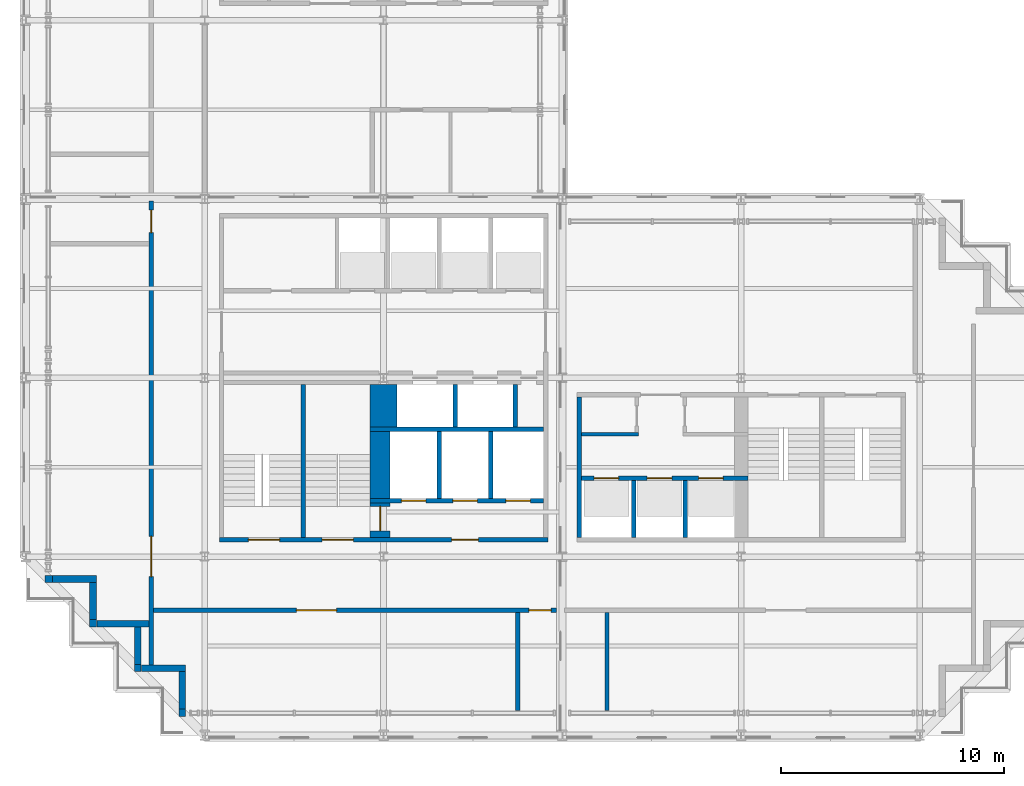
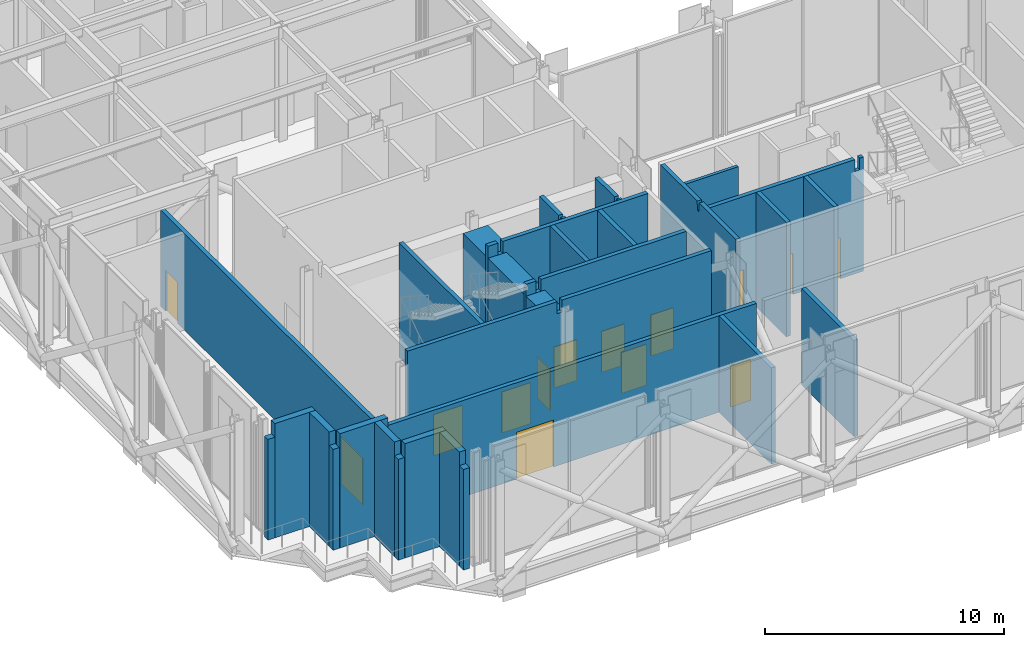
# One storey, part 16 of 23: 30 walls, 14 doors, 14 openings.
"""IFC4 building model written with IfcOpenShell, lengths in metres."""

from ifc_helpers import new_model, si_unit, direction, frame, frame_2d, origin, place, context, subcontext, project, spatial, polyline, rectangle, outline, extrude, material, layer, layer_set, type_object, element, fill, save


model = new_model("IFC4")

# Units and contexts
model_context = context("Model", 3, precision=1e-05, world=origin(), true_north=direction((0.0, 1.0)))
body_context = subcontext(model_context, "Body", "Model", "MODEL_VIEW")
ifc_project = project(units=[si_unit("LENGTHUNIT", "METRE"), si_unit("AREAUNIT", "SQUARE_METRE"), si_unit("VOLUMEUNIT", "CUBIC_METRE"), si_unit("PLANEANGLEUNIT", "RADIAN"), si_unit("MASSUNIT", "GRAM", prefix="KILO")], contexts=[model_context])

# Site, building, storey
site_placement = place(None, origin())
site = spatial("IfcSite", under=ifc_project, at=site_placement, CompositionType="ELEMENT")
building_placement = place(site_placement, origin())
building = spatial("IfcBuilding", under=site, at=building_placement, Name="Immortelle Media Tower", CompositionType="ELEMENT")
storey_placement = place(building_placement, frame((0.0, 0.0, 183.0)))
storey = spatial("IfcBuildingStorey", under=building, at=storey_placement, Name="L38", CompositionType="ELEMENT", Elevation=183.0)

# Wall
ifc_material_1 = material(Name="Fire-rated gypsum board", Category="gypsum")
ifc_layer_1 = layer(ifc_material_1, 0.02490234375)
ifc_material_2 = material(Name="Steel ASTM A653 SS Gr 50 stud frame with mineral wool", Category="steel")
ifc_layer_2 = layer(ifc_material_2, 0.10009765625)
ifc_layer_3 = layer(ifc_material_1, 0.02490234375)
ifc_layer_set_1 = layer_set([ifc_layer_1, ifc_layer_2, ifc_layer_3], Name="Steel ASTM A653 SS Gr 50 stud frame with mineral wool")
wall_type_1 = type_object("IfcWallType", Name="Core partition 150", PredefinedType="PARTITIONING", material=ifc_layer_set_1)
wall_1_placement = place(storey_placement, frame((24.85009765625, 13.47509765625, 0.0), z_axis=(0.0, 0.0, 1.0), x_axis=(1.0, 0.0, 0.0)))
element("IfcWall", 1, at=wall_1_placement, inside=storey, type_object=wall_type_1, Name="Core partition SE", PredefinedType="PARTITIONING", context=body_context, shape_type="SweptSolid", body=[
    extrude(rectangle(XDim=2.5498046875, YDim=0.14990234375, at=frame_2d((1.27490234375, 0.0))), origin(), (0.0, 0.0, 1.0), 5.85009765625),
])

# Wall, openings, doors
ifc_layer_4 = layer(ifc_material_1, 0.03759765625)
ifc_layer_5 = layer(ifc_material_2, 0.125)
ifc_layer_6 = layer(ifc_material_1, 0.03759765625)
ifc_layer_set_2 = layer_set([ifc_layer_4, ifc_layer_5, ifc_layer_6], Name="Steel ASTM A653 SS Gr 50 stud frame with mineral wool")
wall_type_2 = type_object("IfcWallType", Name="Core shaft wall 200", PredefinedType="PARTITIONING", material=ifc_layer_set_2)
wall_2_placement = place(storey_placement, frame((15.39990234375, 10.5, 0.0), z_axis=(0.0, 0.0, 1.0), x_axis=(1.0, 0.0, 0.0)))
wall_2 = element("IfcWall", 2, at=wall_2_placement, inside=storey, type_object=wall_type_2, Name="Core shaft wall SW", PredefinedType="PARTITIONING", context=body_context, shape_type="SweptSolid", body=[
    extrude(outline(polyline([(0.0, 0.0), (7.75, 0.0), (7.75, 5.85009765625), (0.718994140625, 5.85009765625), (0.718017578125, 5.241943359375), (0.48193359375, 5.241943359375), (0.48095703125, 5.85009765625), (0.0, 5.85009765625), (0.0, 0.0)])), frame((0.0, 0.10009765625, 0.0), z_axis=(0.0, -1.0, 0.0), x_axis=(1.0, 0.0, 0.0)), (0.0, 0.0, 1.0), 0.199951171875),
])
opening_1_placement = place(wall_2_placement, frame((1.39990234375, 0.0, 0.0)))
opening_1 = element("IfcOpeningElement", 3, at=opening_1_placement, cuts=wall_2, Name="Opening LD", PredefinedType="OPENING", context=body_context, shape_type="SweptSolid", body=[
    extrude(rectangle(XDim=1.10009765625, YDim=2.10009765625, at=frame_2d((0.550048828125, 1.050048828125))), frame((0.0, 0.10986328125, 0.0), z_axis=(0.0, -1.0, 0.0), x_axis=(1.0, 0.0, 0.0)), (0.0, 0.0, 1.0), 0.219970703125),
])
opening_2_placement = place(wall_2_placement, frame((3.699951171875, 0.0, 0.0)))
opening_2 = element("IfcOpeningElement", 4, at=opening_2_placement, cuts=wall_2, Name="Opening LD", PredefinedType="OPENING", context=body_context, shape_type="SweptSolid", body=[
    extrude(rectangle(XDim=1.10009765625, YDim=2.10009765625, at=frame_2d((0.550048828125, 1.050048828125))), frame((0.0, 0.10986328125, 0.0), z_axis=(0.0, -1.0, 0.0), x_axis=(1.0, 0.0, 0.0)), (0.0, 0.0, 1.0), 0.219970703125),
])
opening_3_placement = place(wall_2_placement, frame((6.074951171875, 0.0, 0.0)))
opening_3 = element("IfcOpeningElement", 5, at=opening_3_placement, cuts=wall_2, Name="Opening LD", PredefinedType="OPENING", context=body_context, shape_type="SweptSolid", body=[
    extrude(rectangle(XDim=1.10009765625, YDim=2.10009765625, at=frame_2d((0.550048828125, 1.050048828125))), frame((0.0, 0.10986328125, 0.0), z_axis=(0.0, -1.0, 0.0), x_axis=(1.0, 0.0, 0.0)), (0.0, 0.0, 1.0), 0.219970703125),
])
ifc_material_3 = material(Name="Stainless steel AISI 304", Category="steel")
door_type_1 = type_object("IfcDoorType", Name="Landing door 1100 x 2100", OperationType="SLIDING_TO_LEFT", PredefinedType="NOTDEFINED", material=ifc_material_3)
door_1_placement = place(opening_1_placement, origin())
door_1 = element("IfcDoor", 6, at=door_1_placement, inside=storey, type_object=door_type_1, Name="Landing door FF1 L38", OperationType="SLIDING_TO_LEFT", OverallHeight=2.10009765625, OverallWidth=1.10009765625, PredefinedType="NOTDEFINED", context=body_context, shape_type="SweptSolid", body=[
    extrude(rectangle(XDim=1.10009765625, YDim=2.10009765625, at=frame_2d((0.550048828125, 1.050048828125))), frame((0.0, 0.02490234375, 0.0), z_axis=(0.0, -1.0, 0.0), x_axis=(1.0, 0.0, 0.0)), (0.0, 0.0, 1.0), 0.050048828125),
])
fill(opening_1, door_1)
door_2_placement = place(opening_2_placement, origin())
door_2 = element("IfcDoor", 7, at=door_2_placement, inside=storey, type_object=door_type_1, Name="Landing door FF2 L38", OperationType="SLIDING_TO_LEFT", OverallHeight=2.10009765625, OverallWidth=1.10009765625, PredefinedType="NOTDEFINED", context=body_context, shape_type="SweptSolid", body=[
    extrude(rectangle(XDim=1.10009765625, YDim=2.10009765625, at=frame_2d((0.550048828125, 1.050048828125))), frame((0.0, 0.02490234375, 0.0), z_axis=(0.0, -1.0, 0.0), x_axis=(1.0, 0.0, 0.0)), (0.0, 0.0, 1.0), 0.050048828125),
])
fill(opening_2, door_2)
door_3_placement = place(opening_3_placement, origin())
door_3 = element("IfcDoor", 8, at=door_3_placement, inside=storey, type_object=door_type_1, Name="Landing door FF3 L38", OperationType="SLIDING_TO_LEFT", OverallHeight=2.10009765625, OverallWidth=1.10009765625, PredefinedType="NOTDEFINED", context=body_context, shape_type="SweptSolid", body=[
    extrude(rectangle(XDim=1.10009765625, YDim=2.10009765625, at=frame_2d((0.550048828125, 1.050048828125))), frame((0.0, 0.02490234375, 0.0), z_axis=(0.0, -1.0, 0.0), x_axis=(1.0, 0.0, 0.0)), (0.0, 0.0, 1.0), 0.050048828125),
])
fill(opening_3, door_3)

# Walls
wall_3_placement = place(storey_placement, frame((15.39990234375, 13.699951171875, 0.0), z_axis=(0.0, 0.0, 1.0), x_axis=(1.0, 0.0, 0.0)))
element("IfcWall", 9, at=wall_3_placement, inside=storey, type_object=wall_type_2, Name="Core shaft wall SW", PredefinedType="PARTITIONING", context=body_context, shape_type="SweptSolid", body=[
    extrude(outline(polyline([(0.0, 0.0), (7.75, 0.0), (7.75, 5.85009765625), (0.718994140625, 5.85009765625), (0.718017578125, 5.241943359375), (0.48193359375, 5.241943359375), (0.48095703125, 5.85009765625), (0.0, 5.85009765625), (0.0, 0.0)])), frame((0.0, 0.10009765625, 0.0), z_axis=(0.0, -1.0, 0.0), x_axis=(1.0, 0.0, 0.0)), (0.0, 0.0, 1.0), 0.199951171875),
])
wall_4_placement = place(storey_placement, frame((18.5, 10.60009765625, 0.0), z_axis=(0.0, 0.0, 1.0), x_axis=(0.0, 1.0, 0.0)))
element("IfcWall", 10, at=wall_4_placement, inside=storey, type_object=wall_type_2, Name="Core shaft wall SW", PredefinedType="PARTITIONING", context=body_context, shape_type="SweptSolid", body=[
    extrude(rectangle(XDim=3.0, YDim=0.199951171875, at=frame_2d((1.5, 0.0))), origin(), (0.0, 0.0, 1.0), 5.85009765625),
])
wall_5_placement = place(storey_placement, frame((19.199951171875, 13.800048828125, 0.0), z_axis=(0.0, 0.0, 1.0), x_axis=(0.0, 1.0, 0.0)))
element("IfcWall", 11, at=wall_5_placement, inside=storey, type_object=wall_type_2, Name="Core shaft wall SW", PredefinedType="PARTITIONING", context=body_context, shape_type="SweptSolid", body=[
    extrude(outline(polyline([(0.0, 0.0), (1.89990234375, 0.0), (1.89990234375, 5.85009765625), (0.281494140625, 5.85009765625), (0.280517578125, 5.388916015625), (0.119384765625, 5.388916015625), (0.118408203125, 5.85009765625), (0.0, 5.85009765625), (0.0, 0.0)])), frame((0.0, 0.10009765625, 0.0), z_axis=(0.0, -1.0, 0.0), x_axis=(1.0, 0.0, 0.0)), (0.0, 0.0, 1.0), 0.199951171875),
])
wall_6_placement = place(storey_placement, frame((20.800048828125, 10.60009765625, 0.0), z_axis=(0.0, 0.0, 1.0), x_axis=(0.0, 1.0, 0.0)))
element("IfcWall", 12, at=wall_6_placement, inside=storey, type_object=wall_type_2, Name="Core shaft wall SW", PredefinedType="PARTITIONING", context=body_context, shape_type="SweptSolid", body=[
    extrude(rectangle(XDim=3.0, YDim=0.199951171875, at=frame_2d((1.5, 0.0))), origin(), (0.0, 0.0, 1.0), 5.85009765625),
])
wall_7_placement = place(storey_placement, frame((21.89990234375, 13.800048828125, 0.0), z_axis=(0.0, 0.0, 1.0), x_axis=(0.0, 1.0, 0.0)))
element("IfcWall", 13, at=wall_7_placement, inside=storey, type_object=wall_type_2, Name="Core shaft wall SW", PredefinedType="PARTITIONING", context=body_context, shape_type="SweptSolid", body=[
    extrude(outline(polyline([(0.0, 0.0), (1.89990234375, 0.0), (1.89990234375, 5.85009765625), (0.281494140625, 5.85009765625), (0.280517578125, 5.388916015625), (0.119384765625, 5.388916015625), (0.118408203125, 5.85009765625), (0.0, 5.85009765625), (0.0, 0.0)])), frame((0.0, 0.10009765625, 0.0), z_axis=(0.0, -1.0, 0.0), x_axis=(1.0, 0.0, 0.0)), (0.0, 0.0, 1.0), 0.199951171875),
])
wall_8_placement = place(storey_placement, frame((24.75, 8.85009765625, 0.0), z_axis=(0.0, 0.0, 1.0), x_axis=(0.0, 1.0, 0.0)))
element("IfcWall", 14, at=wall_8_placement, inside=storey, type_object=wall_type_2, Name="Core shaft wall SE", PredefinedType="PARTITIONING", context=body_context, shape_type="SweptSolid", body=[
    extrude(outline(polyline([(0.0, 0.0), (6.2998046875, 0.0), (6.300048828125, 5.85009765625), (3.2314453125, 5.85009765625), (3.23046875, 5.388916015625), (3.069580078125, 5.388916015625), (3.068603515625, 5.85009765625), (0.0, 5.85009765625), (0.0, 0.0)])), frame((0.0, 0.10009765625, 0.0), z_axis=(0.0, -1.0, 0.0), x_axis=(1.0, 0.0, 0.0)), (0.0, 0.0, 1.0), 0.199951171875),
])

# Wall, openings, doors
wall_9_placement = place(storey_placement, frame((24.85009765625, 11.5, 0.0), z_axis=(0.0, 0.0, 1.0), x_axis=(1.0, 0.0, 0.0)))
wall_9 = element("IfcWall", 15, at=wall_9_placement, inside=storey, type_object=wall_type_2, Name="Core shaft wall SE", PredefinedType="PARTITIONING", context=body_context, shape_type="SweptSolid", body=[
    extrude(outline(polyline([(0.0, 0.0), (7.449951171875, 0.0), (7.449951171875, 5.85009765625), (7.26904296875, 5.85009765625), (7.26806640625, 5.241943359375), (7.031982421875, 5.241943359375), (7.031005859375, 5.85009765625), (0.0, 5.85009765625), (0.0, 0.0)])), frame((0.0, 0.10009765625, 0.0), z_axis=(0.0, -1.0, 0.0), x_axis=(1.0, 0.0, 0.0)), (0.0, 0.0, 1.0), 0.199951171875),
])
opening_4_placement = place(wall_9_placement, frame((0.574951171875, 0.0, 0.0)))
opening_4 = element("IfcOpeningElement", 16, at=opening_4_placement, cuts=wall_9, Name="Opening LD", PredefinedType="OPENING", context=body_context, shape_type="SweptSolid", body=[
    extrude(rectangle(XDim=1.10009765625, YDim=2.10009765625, at=frame_2d((0.550048828125, 1.050048828125))), frame((0.0, 0.10986328125, 0.0), z_axis=(0.0, -1.0, 0.0), x_axis=(1.0, 0.0, 0.0)), (0.0, 0.0, 1.0), 0.219970703125),
])
opening_5_placement = place(wall_9_placement, frame((2.949951171875, 0.0, 0.0)))
opening_5 = element("IfcOpeningElement", 17, at=opening_5_placement, cuts=wall_9, Name="Opening LD", PredefinedType="OPENING", context=body_context, shape_type="SweptSolid", body=[
    extrude(rectangle(XDim=1.10009765625, YDim=2.10009765625, at=frame_2d((0.550048828125, 1.050048828125))), frame((0.0, 0.10986328125, 0.0), z_axis=(0.0, -1.0, 0.0), x_axis=(1.0, 0.0, 0.0)), (0.0, 0.0, 1.0), 0.219970703125),
])
opening_6_placement = place(wall_9_placement, frame((5.25, 0.0, 0.0)))
opening_6 = element("IfcOpeningElement", 18, at=opening_6_placement, cuts=wall_9, Name="Opening LD", PredefinedType="OPENING", context=body_context, shape_type="SweptSolid", body=[
    extrude(rectangle(XDim=1.10009765625, YDim=2.10009765625, at=frame_2d((0.550048828125, 1.050048828125))), frame((0.0, 0.10986328125, 0.0), z_axis=(0.0, -1.0, 0.0), x_axis=(1.0, 0.0, 0.0)), (0.0, 0.0, 1.0), 0.219970703125),
])
door_4_placement = place(opening_4_placement, origin())
door_4 = element("IfcDoor", 19, at=door_4_placement, inside=storey, type_object=door_type_1, Name="Landing door HS1 L38", OperationType="SLIDING_TO_LEFT", OverallHeight=2.10009765625, OverallWidth=1.10009765625, PredefinedType="NOTDEFINED", context=body_context, shape_type="SweptSolid", body=[
    extrude(rectangle(XDim=1.10009765625, YDim=2.10009765625, at=frame_2d((0.550048828125, 1.050048828125))), frame((0.0, 0.02490234375, 0.0), z_axis=(0.0, -1.0, 0.0), x_axis=(1.0, 0.0, 0.0)), (0.0, 0.0, 1.0), 0.050048828125),
])
fill(opening_4, door_4)
door_5_placement = place(opening_5_placement, origin())
door_5 = element("IfcDoor", 20, at=door_5_placement, inside=storey, type_object=door_type_1, Name="Landing door HS2 L38", OperationType="SLIDING_TO_LEFT", OverallHeight=2.10009765625, OverallWidth=1.10009765625, PredefinedType="NOTDEFINED", context=body_context, shape_type="SweptSolid", body=[
    extrude(rectangle(XDim=1.10009765625, YDim=2.10009765625, at=frame_2d((0.550048828125, 1.050048828125))), frame((0.0, 0.02490234375, 0.0), z_axis=(0.0, -1.0, 0.0), x_axis=(1.0, 0.0, 0.0)), (0.0, 0.0, 1.0), 0.050048828125),
])
fill(opening_5, door_5)
door_6_placement = place(opening_6_placement, origin())
door_6 = element("IfcDoor", 21, at=door_6_placement, inside=storey, type_object=door_type_1, Name="Landing door HS3 L38", OperationType="SLIDING_TO_LEFT", OverallHeight=2.10009765625, OverallWidth=1.10009765625, PredefinedType="NOTDEFINED", context=body_context, shape_type="SweptSolid", body=[
    extrude(rectangle(XDim=1.10009765625, YDim=2.10009765625, at=frame_2d((0.550048828125, 1.050048828125))), frame((0.0, 0.02490234375, 0.0), z_axis=(0.0, -1.0, 0.0), x_axis=(1.0, 0.0, 0.0)), (0.0, 0.0, 1.0), 0.050048828125),
])
fill(opening_6, door_6)

# Walls
for number, where, z_axis, x_axis, name in (
    (22, (27.199951171875, 8.85009765625, 0.0), (0.0, 0.0, 1.0), (0.0, 1.0, 0.0), "Core shaft wall SE"),
    (23, (29.5, 8.85009765625, 0.0), (0.0, 0.0, 1.0), (0.0, 1.0, 0.0), "Core shaft wall SE"),
):
    element("IfcWall", number, at=place(storey_placement, frame(where, z_axis=z_axis, x_axis=x_axis)), inside=storey, type_object=wall_type_2, Name=name, PredefinedType="PARTITIONING", context=body_context, shape_type="SweptSolid", body=[
        extrude(rectangle(XDim=2.5498046875, YDim=0.199951171875, at=frame_2d((1.27490234375, 0.0))), origin(), (0.0, 0.0, 1.0), 5.85009765625),
    ])

# Wall, openings, doors
ifc_layer_7 = layer(ifc_material_1, 0.03759765625)
ifc_layer_8 = layer(ifc_material_2, 0.125)
ifc_layer_9 = layer(ifc_material_1, 0.03759765625)
ifc_layer_set_3 = layer_set([ifc_layer_7, ifc_layer_8, ifc_layer_9], Name="Steel ASTM A653 SS Gr 50 stud frame with mineral wool")
wall_type_3 = type_object("IfcWallType", Name="Fire-resisting wall 200", PredefinedType="PARTITIONING", material=ifc_layer_set_3)
wall_10_placement = place(storey_placement, frame((5.60009765625, 3.14990234375, 0.0), z_axis=(0.0, 0.0, 1.0), x_axis=(0.0, 1.0, 0.0)))
wall_10 = element("IfcWall", 24, at=wall_10_placement, inside=storey, type_object=wall_type_3, Name="Fire-resisting wall L38-3A", PredefinedType="PARTITIONING", context=body_context, shape_type="SweptSolid", body=[
    extrude(rectangle(XDim=20.755126953125, YDim=0.199951171875, at=frame_2d((10.37744140625, 0.0))), origin(), (0.0, 0.0, 1.0), 4.93603515625),
])
opening_7_placement = place(wall_10_placement, frame((3.949951171875, 0.0, 0.0)))
opening_7 = element("IfcOpeningElement", 25, at=opening_7_placement, cuts=wall_10, Name="Opening L38-X01", PredefinedType="OPENING", context=body_context, shape_type="SweptSolid", body=[
    extrude(rectangle(XDim=1.800048828125, YDim=2.39990234375, at=frame_2d((0.89990234375, 1.199951171875))), frame((0.0, 0.10986328125, 0.0), z_axis=(0.0, -1.0, 0.0), x_axis=(1.0, 0.0, 0.0)), (0.0, 0.0, 1.0), 0.219970703125),
])
opening_8_placement = place(wall_10_placement, frame((20.35009765625, 0.0, 0.0), z_axis=(0.0, 0.0, 1.0), x_axis=(-1.0, 0.0, 0.0)))
opening_8 = element("IfcOpeningElement", 26, at=opening_8_placement, cuts=wall_10, Name="Opening L38-X02", PredefinedType="OPENING", context=body_context, shape_type="SweptSolid", body=[
    extrude(rectangle(XDim=1.0, YDim=2.10009765625, at=frame_2d((0.5, 1.050048828125))), frame((0.0, 0.10986328125, 0.0), z_axis=(0.0, -1.0, 0.0), x_axis=(1.0, 0.0, 0.0)), (0.0, 0.0, 1.0), 0.219970703125),
])
ifc_material_4 = material(Name="Galvanised steel door leaf and frame ASTM A653", Category="steel")
door_type_2 = type_object("IfcDoorType", Name="Fire door 1000 x 2100", OperationType="NOTDEFINED", PredefinedType="DOOR", material=ifc_material_4)
door_7_placement = place(opening_8_placement, origin())
door_7 = element("IfcDoor", 27, at=door_7_placement, inside=storey, type_object=door_type_2, Name="Door L38-X02", OperationType="SINGLE_SWING_RIGHT", OverallHeight=2.10009765625, OverallWidth=1.0, PredefinedType="DOOR", context=body_context, shape_type="SweptSolid", body=[
    extrude(rectangle(XDim=1.0, YDim=2.10009765625, at=frame_2d((0.5, 1.050048828125))), frame((0.0, 0.02490234375, 0.0), z_axis=(0.0, -1.0, 0.0), x_axis=(1.0, 0.0, 0.0)), (0.0, 0.0, 1.0), 0.050048828125),
])
fill(opening_8, door_7)
door_type_3 = type_object("IfcDoorType", Name="Fire double door 1800 x 2400", OperationType="DOUBLE_DOOR_SINGLE_SWING", PredefinedType="DOOR", material=ifc_material_4)
door_8_placement = place(opening_7_placement, origin())
door_8 = element("IfcDoor", 28, at=door_8_placement, inside=storey, type_object=door_type_3, Name="Door L38-X01", OperationType="DOUBLE_DOOR_SINGLE_SWING", OverallHeight=2.39990234375, OverallWidth=1.800048828125, PredefinedType="DOOR", context=body_context, shape_type="SweptSolid", body=[
    extrude(rectangle(XDim=1.800048828125, YDim=2.39990234375, at=frame_2d((0.89990234375, 1.199951171875))), frame((0.0, 0.02490234375, 0.0), z_axis=(0.0, -1.0, 0.0), x_axis=(1.0, 0.0, 0.0)), (0.0, 0.0, 1.0), 0.050048828125),
])
fill(opening_7, door_8)

wall_11_placement = place(storey_placement, frame((5.699951171875, 5.60009765625, 0.0), z_axis=(0.0, 0.0, 1.0), x_axis=(1.0, 0.0, 0.0)))
wall_11 = element("IfcWall", 29, at=wall_11_placement, inside=storey, type_object=wall_type_3, Name="Fire-resisting wall L38-4A", PredefinedType="PARTITIONING", context=body_context, shape_type="SweptSolid", body=[
    extrude(rectangle(XDim=18.029052734375, YDim=0.199951171875, at=frame_2d((9.0146484375, 0.0))), origin(), (0.0, 0.0, 1.0), 4.93603515625),
])
opening_9_placement = place(wall_11_placement, frame((6.39990234375, 0.0, 0.0)))
opening_9 = element("IfcOpeningElement", 30, at=opening_9_placement, cuts=wall_11, Name="Opening L38-X04", PredefinedType="OPENING", context=body_context, shape_type="SweptSolid", body=[
    extrude(rectangle(XDim=1.800048828125, YDim=2.39990234375, at=frame_2d((0.89990234375, 1.199951171875))), frame((0.0, 0.10986328125, 0.0), z_axis=(0.0, -1.0, 0.0), x_axis=(1.0, 0.0, 0.0)), (0.0, 0.0, 1.0), 0.219970703125),
])
opening_10_placement = place(wall_11_placement, frame((16.800048828125, 0.0, 0.0)))
opening_10 = element("IfcOpeningElement", 31, at=opening_10_placement, cuts=wall_11, Name="Opening L38-X05", PredefinedType="OPENING", context=body_context, shape_type="SweptSolid", body=[
    extrude(rectangle(XDim=1.0, YDim=2.10009765625, at=frame_2d((0.5, 1.050048828125))), frame((0.0, 0.10986328125, 0.0), z_axis=(0.0, -1.0, 0.0), x_axis=(1.0, 0.0, 0.0)), (0.0, 0.0, 1.0), 0.219970703125),
])
door_9_placement = place(opening_10_placement, origin())
door_9 = element("IfcDoor", 32, at=door_9_placement, inside=storey, type_object=door_type_2, Name="Door L38-X05", OperationType="SINGLE_SWING_LEFT", OverallHeight=2.10009765625, OverallWidth=1.0, PredefinedType="DOOR", context=body_context, shape_type="SweptSolid", body=[
    extrude(rectangle(XDim=1.0, YDim=2.10009765625, at=frame_2d((0.5, 1.050048828125))), frame((0.0, 0.02490234375, 0.0), z_axis=(0.0, -1.0, 0.0), x_axis=(1.0, 0.0, 0.0)), (0.0, 0.0, 1.0), 0.050048828125),
])
fill(opening_10, door_9)
door_10_placement = place(opening_9_placement, origin())
door_10 = element("IfcDoor", 33, at=door_10_placement, inside=storey, type_object=door_type_3, Name="Door L38-X04", OperationType="DOUBLE_DOOR_SINGLE_SWING", OverallHeight=2.39990234375, OverallWidth=1.800048828125, PredefinedType="DOOR", context=body_context, shape_type="SweptSolid", body=[
    extrude(rectangle(XDim=1.800048828125, YDim=2.39990234375, at=frame_2d((0.89990234375, 1.199951171875))), frame((0.0, 0.02490234375, 0.0), z_axis=(0.0, -1.0, 0.0), x_axis=(1.0, 0.0, 0.0)), (0.0, 0.0, 1.0), 0.050048828125),
])
fill(opening_9, door_10)

# Walls
for number, where, z_axis, x_axis, name in (
    (34, (22.0, 1.10498046875, 0.0), (0.0, 0.0, 1.0), (0.0, 1.0, 0.0), "Fire-resisting wall L38-10"),
    (35, (26.0, 1.10498046875, 0.0), (0.0, 0.0, 1.0), (0.0, 1.0, 0.0), "Fire-resisting wall L38-11"),
):
    element("IfcWall", number, at=place(storey_placement, frame(where, z_axis=z_axis, x_axis=x_axis)), inside=storey, type_object=wall_type_3, Name=name, PredefinedType="PARTITIONING", context=body_context, shape_type="SweptSolid", body=[
        extrude(rectangle(XDim=4.39501953125, YDim=0.199951171875, at=frame_2d((2.197509765625, 0.0))), origin(), (0.0, 0.0, 1.0), 4.93603515625),
    ])
ifc_material_5 = material(Name="Pale aluminium cladding panel", Category="aluminium")
ifc_layer_10 = layer(ifc_material_5, 0.030029296875)
ifc_layer_11 = layer(ifc_material_2, 0.257568359375)
ifc_material_6 = material(Name="Moisture-resistant gypsum board", Category="gypsum")
ifc_layer_12 = layer(ifc_material_6, 0.012451171875)
ifc_layer_set_4 = layer_set([ifc_layer_10, ifc_layer_11, ifc_layer_12], Name="Steel ASTM A653 SS Gr 50 stud frame with mineral wool")
wall_type_4 = type_object("IfcWallType", Name="Pale metal clad wall 300", PredefinedType="STANDARD", material=ifc_layer_set_4)
wall_12_placement = place(storey_placement, frame((0.85009765625, 7.0, 0.0), z_axis=(0.0, 0.0, 1.0), x_axis=(1.0, 0.0, 0.0)))
element("IfcWall", 36, at=wall_12_placement, inside=storey, type_object=wall_type_4, Name="Plant corner wall L38 S 1-1", PredefinedType="STANDARD", context=body_context, shape_type="SweptSolid", body=[
    extrude(rectangle(XDim=0.33154296875, YDim=0.300048828125, at=frame_2d((0.165771484375, 0.0))), origin(), (0.0, 0.0, 1.0), 5.156494140625),
])
wall_13_placement = place(storey_placement, frame((1.181640625, 7.0, 0.0), z_axis=(0.0, 0.0, 1.0), x_axis=(1.0, 0.0, 0.0)))
element("IfcWall", 37, at=wall_13_placement, inside=storey, type_object=wall_type_4, Name="Plant corner wall L38 S 1-2", PredefinedType="STANDARD", context=body_context, shape_type="SweptSolid", body=[
    extrude(rectangle(XDim=1.96826171875, YDim=0.300048828125, at=frame_2d((0.984130859375, 0.0))), origin(), (0.0, 0.0, 1.0), 5.849609375),
])
wall_14_placement = place(storey_placement, frame((3.0, 6.85009765625, 0.0), z_axis=(0.0, 0.0, 1.0), x_axis=(0.0, -1.0, 0.0)))
element("IfcWall", 38, at=wall_14_placement, inside=storey, type_object=wall_type_4, Name="Plant corner wall L38 W 2-1", PredefinedType="STANDARD", context=body_context, shape_type="SweptSolid", body=[
    extrude(rectangle(XDim=1.66845703125, YDim=0.300048828125, at=frame_2d((0.834228515625, 0.0))), origin(), (0.0, 0.0, 1.0), 5.849609375),
])
wall_15_placement = place(storey_placement, frame((3.0, 5.181640625, 0.0), z_axis=(0.0, 0.0, 1.0), x_axis=(0.0, -1.0, 0.0)))
element("IfcWall", 39, at=wall_15_placement, inside=storey, type_object=wall_type_4, Name="Plant corner wall L38 W 2-2", PredefinedType="STANDARD", context=body_context, shape_type="SweptSolid", body=[
    extrude(rectangle(XDim=0.33154296875, YDim=0.300048828125, at=frame_2d((0.165771484375, 0.0))), origin(), (0.0, 0.0, 1.0), 5.156494140625),
])
wall_16_placement = place(storey_placement, frame((3.181640625, 5.0, 0.0), z_axis=(0.0, 0.0, 1.0), x_axis=(1.0, 0.0, 0.0)))
element("IfcWall", 40, at=wall_16_placement, inside=storey, type_object=wall_type_4, Name="Plant corner wall L38 S 3-2", PredefinedType="STANDARD", context=body_context, shape_type="SweptSolid", body=[
    extrude(rectangle(XDim=2.318359375, YDim=0.300048828125, at=frame_2d((1.1591796875, 0.0))), origin(), (0.0, 0.0, 1.0), 5.849609375),
])
wall_17_placement = place(storey_placement, frame((5.0, 4.85009765625, 0.0), z_axis=(0.0, 0.0, 1.0), x_axis=(0.0, -1.0, 0.0)))
element("IfcWall", 41, at=wall_17_placement, inside=storey, type_object=wall_type_4, Name="Plant corner wall L38 W 4-1", PredefinedType="STANDARD", context=body_context, shape_type="SweptSolid", body=[
    extrude(rectangle(XDim=1.66845703125, YDim=0.300048828125, at=frame_2d((0.834228515625, 0.0))), origin(), (0.0, 0.0, 1.0), 5.849609375),
])
wall_18_placement = place(storey_placement, frame((5.0, 3.181640625, 0.0), z_axis=(0.0, 0.0, 1.0), x_axis=(0.0, -1.0, 0.0)))
element("IfcWall", 42, at=wall_18_placement, inside=storey, type_object=wall_type_4, Name="Plant corner wall L38 W 4-2", PredefinedType="STANDARD", context=body_context, shape_type="SweptSolid", body=[
    extrude(rectangle(XDim=0.33154296875, YDim=0.300048828125, at=frame_2d((0.165771484375, 0.0))), origin(), (0.0, 0.0, 1.0), 5.156494140625),
])
wall_19_placement = place(storey_placement, frame((5.181640625, 3.0, 0.0), z_axis=(0.0, 0.0, 1.0), x_axis=(1.0, 0.0, 0.0)))
element("IfcWall", 43, at=wall_19_placement, inside=storey, type_object=wall_type_4, Name="Plant corner wall L38 S 5-2", PredefinedType="STANDARD", context=body_context, shape_type="SweptSolid", body=[
    extrude(rectangle(XDim=1.96826171875, YDim=0.300048828125, at=frame_2d((0.984130859375, 0.0))), origin(), (0.0, 0.0, 1.0), 5.849609375),
])
wall_20_placement = place(storey_placement, frame((7.0, 2.85009765625, 0.0), z_axis=(0.0, 0.0, 1.0), x_axis=(0.0, -1.0, 0.0)))
element("IfcWall", 44, at=wall_20_placement, inside=storey, type_object=wall_type_4, Name="Plant corner wall L38 W 6-1", PredefinedType="STANDARD", context=body_context, shape_type="SweptSolid", body=[
    extrude(rectangle(XDim=1.66845703125, YDim=0.300048828125, at=frame_2d((0.834228515625, 0.0))), origin(), (0.0, 0.0, 1.0), 5.849609375),
])
wall_21_placement = place(storey_placement, frame((7.0, 1.181640625, 0.0), z_axis=(0.0, 0.0, 1.0), x_axis=(0.0, -1.0, 0.0)))
element("IfcWall", 45, at=wall_21_placement, inside=storey, type_object=wall_type_4, Name="Plant corner wall L38 W 6-2", PredefinedType="STANDARD", context=body_context, shape_type="SweptSolid", body=[
    extrude(rectangle(XDim=0.33154296875, YDim=0.300048828125, at=frame_2d((0.165771484375, 0.0))), origin(), (0.0, 0.0, 1.0), 5.156494140625),
])
ifc_material_7 = material(Name="Concrete C60", Category="concrete")
ifc_layer_13 = layer(ifc_material_7, 1.199951171875)
ifc_layer_set_5 = layer_set([ifc_layer_13], Name="Concrete C60")
wall_type_5 = type_object("IfcWallType", Name="Stair shaft wall 1200", PredefinedType="PARTITIONING", material=ifc_layer_set_5)
wall_22_placement = place(storey_placement, frame((16.0, 13.800048828125, 0.0), z_axis=(0.0, 0.0, 1.0), x_axis=(0.0, 1.0, 0.0)))
element("IfcWall", 46, at=wall_22_placement, inside=storey, type_object=wall_type_5, Name="Stair shaft wall SW", PredefinedType="PARTITIONING", context=body_context, shape_type="SweptSolid", body=[
    extrude(rectangle(XDim=1.89990234375, YDim=1.199951171875, at=frame_2d((0.949951171875, 0.0))), origin(), (0.0, 0.0, 1.0), 5.241943359375),
])

# Wall, openings, doors
ifc_layer_14 = layer(ifc_material_7, 0.199951171875)
ifc_layer_set_6 = layer_set([ifc_layer_14], Name="Concrete C60")
wall_type_6 = type_object("IfcWallType", Name="Stair shaft wall 200", PredefinedType="PARTITIONING", material=ifc_layer_set_6)
wall_23_placement = place(storey_placement, frame((8.64990234375, 8.75, 0.0), z_axis=(0.0, 0.0, 1.0), x_axis=(1.0, 0.0, 0.0)))
wall_23 = element("IfcWall", 47, at=wall_23_placement, inside=storey, type_object=wall_type_6, Name="Stair shaft wall SW", PredefinedType="PARTITIONING", context=body_context, shape_type="SweptSolid", body=[
    extrude(outline(polyline([(0.0, 0.0), (14.7001953125, 0.0), (14.699951171875, 5.85009765625), (7.468994140625, 5.85009765625), (7.468017578125, 5.241943359375), (7.23193359375, 5.241943359375), (7.23095703125, 5.85009765625), (0.0, 5.85009765625), (0.0, 0.0)])), frame((0.0, 0.10009765625, 0.0), z_axis=(0.0, -1.0, 0.0), x_axis=(1.0, 0.0, 0.0)), (0.0, 0.0, 1.0), 0.199951171875),
])
opening_11_placement = place(wall_23_placement, frame((1.300048828125, 0.0, 0.0)))
opening_11 = element("IfcOpeningElement", 48, at=opening_11_placement, cuts=wall_23, Name="Opening L38-K002", PredefinedType="OPENING", context=body_context, shape_type="SweptSolid", body=[
    extrude(rectangle(XDim=1.39990234375, YDim=2.10009765625, at=frame_2d((0.699951171875, 1.050048828125))), frame((0.0, 0.10986328125, 0.0), z_axis=(0.0, -1.0, 0.0), x_axis=(1.0, 0.0, 0.0)), (0.0, 0.0, 1.0), 0.219970703125),
])
opening_12_placement = place(wall_23_placement, frame((4.60009765625, 0.0, 0.0)))
opening_12 = element("IfcOpeningElement", 49, at=opening_12_placement, cuts=wall_23, Name="Opening L38-K004", PredefinedType="OPENING", context=body_context, shape_type="SweptSolid", body=[
    extrude(rectangle(XDim=1.39990234375, YDim=2.10009765625, at=frame_2d((0.699951171875, 1.050048828125))), frame((0.0, 0.10986328125, 0.0), z_axis=(0.0, -1.0, 0.0), x_axis=(1.0, 0.0, 0.0)), (0.0, 0.0, 1.0), 0.219970703125),
])
opening_13_placement = place(wall_23_placement, frame((10.39990234375, 0.0, 0.0)))
opening_13 = element("IfcOpeningElement", 50, at=opening_13_placement, cuts=wall_23, Name="Opening L38-K010", PredefinedType="OPENING", context=body_context, shape_type="SweptSolid", body=[
    extrude(rectangle(XDim=1.199951171875, YDim=2.10009765625, at=frame_2d((0.60009765625, 1.050048828125))), frame((0.0, 0.10986328125, 0.0), z_axis=(0.0, -1.0, 0.0), x_axis=(1.0, 0.0, 0.0)), (0.0, 0.0, 1.0), 0.219970703125),
])
door_type_4 = type_object("IfcDoorType", Name="Fire-fighting lobby door 1200 x 2100", OperationType="NOTDEFINED", PredefinedType="NOTDEFINED", material=ifc_material_4)
door_11_placement = place(opening_13_placement, origin())
door_11 = element("IfcDoor", 51, at=door_11_placement, inside=storey, type_object=door_type_4, Name="Fire-fighting lobby L38-K010", OperationType="SINGLE_SWING_RIGHT", OverallHeight=2.10009765625, OverallWidth=1.199951171875, PredefinedType="NOTDEFINED", context=body_context, shape_type="SweptSolid", body=[
    extrude(rectangle(XDim=1.199951171875, YDim=2.10009765625, at=frame_2d((0.60009765625, 1.050048828125))), frame((0.0, 0.02490234375, 0.0), z_axis=(0.0, -1.0, 0.0), x_axis=(1.0, 0.0, 0.0)), (0.0, 0.0, 1.0), 0.050048828125),
])
fill(opening_13, door_11)
door_type_5 = type_object("IfcDoorType", Name="Stair door 1400 x 2100", OperationType="DOUBLE_DOOR_SINGLE_SWING", PredefinedType="NOTDEFINED", material=ifc_material_4)
door_12_placement = place(opening_11_placement, origin())
door_12 = element("IfcDoor", 52, at=door_12_placement, inside=storey, type_object=door_type_5, Name="Stair L38-K002", OperationType="DOUBLE_DOOR_SINGLE_SWING", OverallHeight=2.10009765625, OverallWidth=1.39990234375, PredefinedType="NOTDEFINED", context=body_context, shape_type="SweptSolid", body=[
    extrude(rectangle(XDim=1.39990234375, YDim=2.10009765625, at=frame_2d((0.699951171875, 1.050048828125))), frame((0.0, 0.02490234375, 0.0), z_axis=(0.0, -1.0, 0.0), x_axis=(1.0, 0.0, 0.0)), (0.0, 0.0, 1.0), 0.050048828125),
])
fill(opening_11, door_12)
door_13_placement = place(opening_12_placement, origin())
door_13 = element("IfcDoor", 53, at=door_13_placement, inside=storey, type_object=door_type_5, Name="Stair L38-K004", OperationType="DOUBLE_DOOR_SINGLE_SWING", OverallHeight=2.10009765625, OverallWidth=1.39990234375, PredefinedType="NOTDEFINED", context=body_context, shape_type="SweptSolid", body=[
    extrude(rectangle(XDim=1.39990234375, YDim=2.10009765625, at=frame_2d((0.699951171875, 1.050048828125))), frame((0.0, 0.02490234375, 0.0), z_axis=(0.0, -1.0, 0.0), x_axis=(1.0, 0.0, 0.0)), (0.0, 0.0, 1.0), 0.050048828125),
])
fill(opening_12, door_13)

# Wall
wall_24_placement = place(storey_placement, frame((12.39990234375, 8.85009765625, 0.0), z_axis=(0.0, 0.0, 1.0), x_axis=(0.0, 1.0, 0.0)))
element("IfcWall", 54, at=wall_24_placement, inside=storey, type_object=wall_type_6, Name="Stair shaft wall SW", PredefinedType="PARTITIONING", context=body_context, shape_type="SweptSolid", body=[
    extrude(rectangle(XDim=6.849853515625, YDim=0.199951171875, at=frame_2d((3.4248046875, 0.0))), origin(), (0.0, 0.0, 1.0), 5.85009765625),
])

# Wall, opening, door
ifc_layer_15 = layer(ifc_material_7, 0.89990234375)
ifc_layer_set_7 = layer_set([ifc_layer_15], Name="Concrete C60")
wall_type_7 = type_object("IfcWallType", Name="Stair shaft wall 900", PredefinedType="PARTITIONING", material=ifc_layer_set_7)
wall_25_placement = place(storey_placement, frame((15.85009765625, 8.85009765625, 0.0), z_axis=(0.0, 0.0, 1.0), x_axis=(0.0, 1.0, 0.0)))
wall_25 = element("IfcWall", 55, at=wall_25_placement, inside=storey, type_object=wall_type_7, Name="Stair shaft wall SW", PredefinedType="PARTITIONING", context=body_context, shape_type="SweptSolid", body=[
    extrude(rectangle(XDim=1.5498046875, YDim=0.89990234375, at=frame_2d((0.77490234375, 0.0))), origin(), (0.0, 0.0, 1.0), 5.241943359375),
])
opening_14_placement = place(wall_25_placement, frame((0.300048828125, 0.0, 0.0)))
opening_14 = element("IfcOpeningElement", 56, at=opening_14_placement, cuts=wall_25, Name="Opening L38-K006", PredefinedType="OPENING", context=body_context, shape_type="SweptSolid", body=[
    extrude(rectangle(XDim=1.10009765625, YDim=2.10009765625, at=frame_2d((0.550048828125, 1.050048828125))), frame((0.0, 0.4599609375, 0.0), z_axis=(0.0, -1.0, 0.0), x_axis=(1.0, 0.0, 0.0)), (0.0, 0.0, 1.0), 0.919921875),
])
door_type_6 = type_object("IfcDoorType", Name="Stair lobby door 1100 x 2100", OperationType="NOTDEFINED", PredefinedType="NOTDEFINED", material=ifc_material_4)
door_14_placement = place(opening_14_placement, origin())
door_14 = element("IfcDoor", 57, at=door_14_placement, inside=storey, type_object=door_type_6, Name="Stair lobby L38-K006", OperationType="SINGLE_SWING_LEFT", OverallHeight=2.10009765625, OverallWidth=1.10009765625, PredefinedType="NOTDEFINED", context=body_context, shape_type="SweptSolid", body=[
    extrude(rectangle(XDim=1.10009765625, YDim=2.10009765625, at=frame_2d((0.550048828125, 1.050048828125))), frame((0.0, 0.02490234375, 0.0), z_axis=(0.0, -1.0, 0.0), x_axis=(1.0, 0.0, 0.0)), (0.0, 0.0, 1.0), 0.050048828125),
])
fill(opening_14, door_14)

# Wall
wall_26_placement = place(storey_placement, frame((15.85009765625, 10.60009765625, 0.0), z_axis=(0.0, 0.0, 1.0), x_axis=(0.0, 1.0, 0.0)))
element("IfcWall", 58, at=wall_26_placement, inside=storey, type_object=wall_type_7, Name="Stair shaft wall SW", PredefinedType="PARTITIONING", context=body_context, shape_type="SweptSolid", body=[
    extrude(rectangle(XDim=3.0, YDim=0.89990234375, at=frame_2d((1.5, 0.0))), origin(), (0.0, 0.0, 1.0), 5.241943359375),
])

save(model, "model.ifc")
